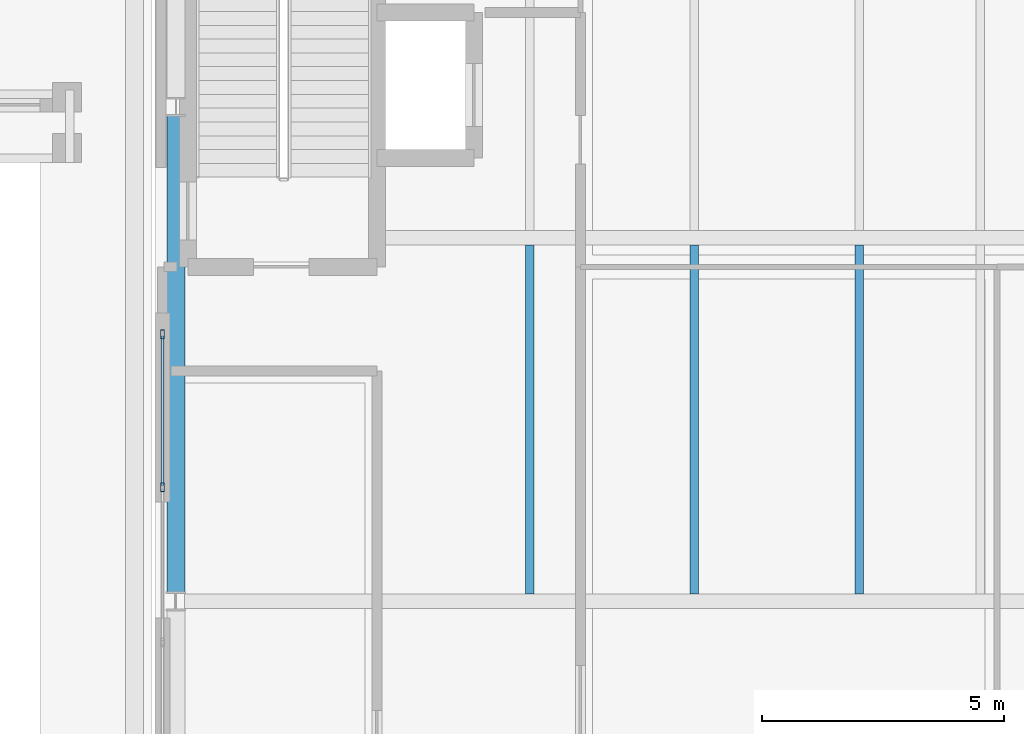
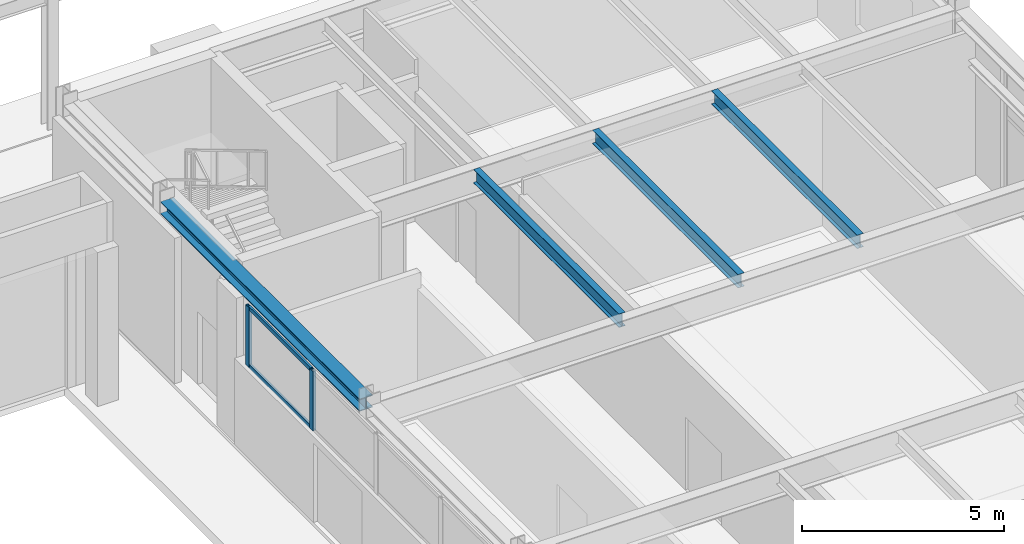
# One storey, part 9 of 21: 4 beams, 4 members, 1 element without a shape of its own.
"""IFC4 building model written with IfcOpenShell, lengths in metres."""

from ifc_helpers import new_model, si_unit, direction, frame, origin, origin_2d, place, context, subcontext, project, spatial, hollow_rectangle, i_section, extrude, material, layer, layer_set, material_profile, profile_set, type_object, element, aggregate, save


model = new_model("IFC4")

# Units and contexts
model_context = context("Model", 3, precision=1e-05, world=origin(), true_north=direction((0.0, 1.0)))
body_context = subcontext(model_context, "Body", "Model", "MODEL_VIEW")
ifc_project = project(units=[si_unit("LENGTHUNIT", "METRE"), si_unit("AREAUNIT", "SQUARE_METRE"), si_unit("VOLUMEUNIT", "CUBIC_METRE"), si_unit("PLANEANGLEUNIT", "RADIAN"), si_unit("MASSUNIT", "GRAM", prefix="KILO")], contexts=[model_context])

# Site, building, storey
site_placement = place(None, origin())
site = spatial("IfcSite", under=ifc_project, at=site_placement, CompositionType="ELEMENT")
building_placement = place(site_placement, origin())
building = spatial("IfcBuilding", under=site, at=building_placement, Name="Mersakhor Tower and Convention Hall", CompositionType="ELEMENT")
storey_placement = place(building_placement, origin())
storey = spatial("IfcBuildingStorey", under=building, at=storey_placement, Name="L00", CompositionType="ELEMENT", Elevation=0.0)

# Beams
ifc_material_1 = material(Name="Steel S355", Category="steel")
ifc_material_profile_1 = material_profile(ifc_material_1, i_section(OverallWidth=0.1787109375, OverallDepth=0.409423828125, WebThickness=0.0087890625, FlangeThickness=0.014404296875, at=origin_2d()), Name="UB 406x178x67")
ifc_profile_set_1 = profile_set([ifc_material_profile_1], Name="Steel S355")
beam_type_1 = type_object("IfcBeamType", Name="BM-JST-406", PredefinedType="JOIST", material=ifc_profile_set_1)
for number, where, z_axis, x_axis, name in (
    (1, (62.800048828125, 33.39697265625, 4.5751953125), (0.0, 1.0, 0.0), (-1.0, 0.0, 0.0), "Convention L00 Composite Floor Joist CJ-5-62"),
    (2, (66.199951171875, 33.39697265625, 4.5751953125), (0.0, 1.0, 0.0), (-1.0, 0.0, 0.0), "Convention L00 Composite Floor Joist CJ-5-66"),
    (3, (69.60009765625, 33.39697265625, 4.5751953125), (0.0, 1.0, 0.0), (-1.0, 0.0, 0.0), "Convention L00 Composite Floor Joist CJ-5-69"),
):
    element("IfcBeam", number, at=place(storey_placement, frame(where, z_axis=z_axis, x_axis=x_axis)), inside=storey, type_object=beam_type_1, Name=name, PredefinedType="JOIST", context=body_context, shape_type="SweptSolid", body=[
        extrude(i_section(OverallWidth=0.1787109375, OverallDepth=0.409423828125, WebThickness=0.0087890625, FlangeThickness=0.014404296875, at=origin_2d()), origin(), (0.0, 0.0, 1.0), 7.2060546875),
    ])
ifc_material_2 = material(Name="Steel S355", Category="steel")
ifc_material_profile_2 = material_profile(ifc_material_2, i_section(OverallWidth=0.374755859375, OverallDepth=0.37451171875, WebThickness=0.0166015625, FlangeThickness=0.027099609375, at=origin_2d()), Name="UC 356x368x202")
ifc_profile_set_2 = profile_set([ifc_material_profile_2], Name="Steel S355")
beam_type_2 = type_object("IfcBeamType", Name="BM-SPD-UC356", PredefinedType="SPANDREL", material=ifc_profile_set_2)
beam_placement = place(storey_placement, frame((55.5, 33.429931640625, 4.593017578125), z_axis=(0.0, 1.0, 0.0), x_axis=(-1.0, 0.0, 0.0)))
element("IfcBeam", 4, at=beam_placement, inside=storey, type_object=beam_type_2, Name="Convention L00 Edge Spandrel W5", PredefinedType="SPANDREL", context=body_context, shape_type="SweptSolid", body=[
    extrude(i_section(OverallWidth=0.374755859375, OverallDepth=0.37451171875, WebThickness=0.0166015625, FlangeThickness=0.027099609375, at=origin_2d()), origin(), (0.0, 0.0, 1.0), 9.840087890625),
])

# Curtain wall, members
ifc_material_3 = material(Name="Dark solar low-E aluminium curtain wall", Category="aluminium")
ifc_layer = layer(ifc_material_3, 0.219970703125)
ifc_layer_set = layer_set([ifc_layer], Name="Dark solar low-E aluminium curtain wall")
curtain_wall_type = type_object("IfcCurtainWallType", Name="CW-SYS-07", PredefinedType="USERDEFINED", material=ifc_layer_set)
curtain_wall_placement = place(storey_placement, origin())
curtain_wall = element("IfcCurtainWall", 5, at=curtain_wall_placement, inside=storey, type_object=curtain_wall_type, Name="Convention L00 West Curtain Wall", ObjectType="CURTAIN WALL", PredefinedType="USERDEFINED")
ifc_material_4 = material(Name="Anodised aluminium EN AW-6063 T6", Category="aluminium")
ifc_material_profile_3 = material_profile(ifc_material_4, hollow_rectangle(XDim=0.080078125, YDim=0.179931640625, WallThickness=0.008056640625, at=origin_2d()), Name="RHS 180x80x8")
ifc_profile_set_3 = profile_set([ifc_material_profile_3], Name="Anodised aluminium EN AW-6063 T6")
member_type_1 = type_object("IfcMemberType", Name="CWM-180x80", PredefinedType="MULLION", material=ifc_profile_set_3)
member_1_placement = place(storey_placement, frame((55.22509765625, 35.60009765625, 2.60009765625), z_axis=(0.0, 0.0, 1.0), x_axis=(-1.0, 0.0, 0.0)))
member_1 = element("IfcMember", 6, at=member_1_placement, type_object=member_type_1, Name="CW-07 mullion 5", PredefinedType="MULLION", context=body_context, shape_type="SweptSolid", body=[
    extrude(hollow_rectangle(XDim=0.080078125, YDim=0.179931640625, WallThickness=0.008056640625, at=origin_2d()), origin(), (0.0, 0.0, 1.0), 1.7998046875),
])
member_2_placement = place(storey_placement, frame((55.22509765625, 38.760009765625, 2.60009765625), z_axis=(0.0, 0.0, 1.0), x_axis=(-1.0, 0.0, 0.0)))
member_2 = element("IfcMember", 7, at=member_2_placement, type_object=member_type_1, Name="CW-07 mullion 6", PredefinedType="MULLION", context=body_context, shape_type="SweptSolid", body=[
    extrude(hollow_rectangle(XDim=0.080078125, YDim=0.179931640625, WallThickness=0.008056640625, at=origin_2d()), origin(), (0.0, 0.0, 1.0), 1.7998046875),
])
ifc_material_5 = material(Name="Anodised aluminium EN AW-6063 T6", Category="aluminium")
ifc_material_profile_4 = material_profile(ifc_material_5, hollow_rectangle(XDim=0.06005859375, YDim=0.1201171875, WallThickness=0.0048828125, at=origin_2d()), Name="RHS 120x60x5")
ifc_profile_set_4 = profile_set([ifc_material_profile_4], Name="Anodised aluminium EN AW-6063 T6")
member_type_2 = type_object("IfcMemberType", Name="CWT-120x60", PredefinedType="USERDEFINED", material=ifc_profile_set_4)
member_3_placement = place(storey_placement, frame((55.22509765625, 35.639892578125, 2.6298828125), z_axis=(0.0, 1.0, 0.0), x_axis=(-1.0, 0.0, 0.0)))
member_3 = element("IfcMember", 8, at=member_3_placement, type_object=member_type_2, Name="CW-07 transom 5.1", ObjectType="TRANSOM", PredefinedType="USERDEFINED", context=body_context, shape_type="SweptSolid", body=[
    extrude(hollow_rectangle(XDim=0.06005859375, YDim=0.1201171875, WallThickness=0.0048828125, at=origin_2d()), origin(), (0.0, 0.0, 1.0), 3.080078125),
])
member_4_placement = place(storey_placement, frame((55.22509765625, 35.639892578125, 4.3701171875), z_axis=(0.0, 1.0, 0.0), x_axis=(-1.0, 0.0, 0.0)))
member_4 = element("IfcMember", 9, at=member_4_placement, type_object=member_type_2, Name="CW-07 transom 5.2", ObjectType="TRANSOM", PredefinedType="USERDEFINED", context=body_context, shape_type="SweptSolid", body=[
    extrude(hollow_rectangle(XDim=0.06005859375, YDim=0.1201171875, WallThickness=0.0048828125, at=origin_2d()), origin(), (0.0, 0.0, 1.0), 3.080078125),
])
aggregate(curtain_wall, [member_1, member_2, member_3, member_4])

save(model, "model.ifc")
